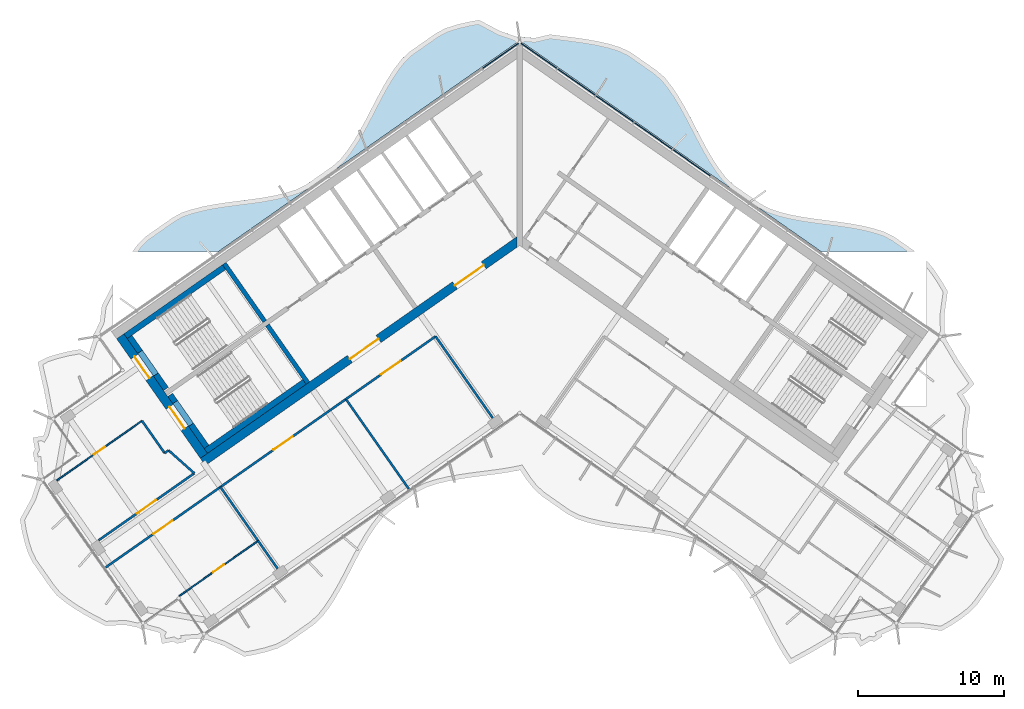
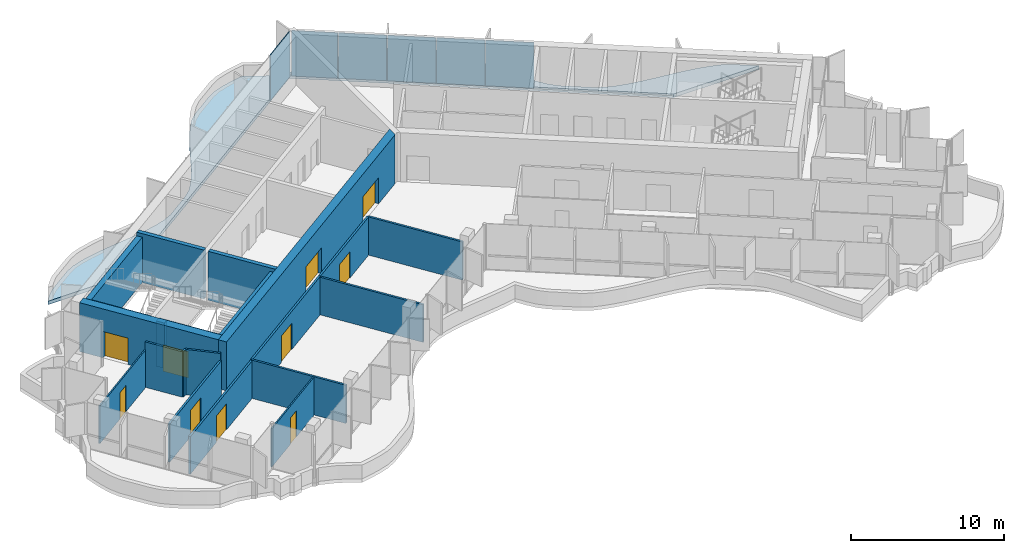
# One storey, part 9 of 18: 25 walls, 10 doors, 6 plates, 1 slab, 10 openings, 1 element without a shape of its own.
"""IFC4 building model written with IfcOpenShell, lengths in metres."""

from ifc_helpers import new_model, si_unit, direction, frame, frame_2d, origin, origin_2d, place, context, subcontext, project, spatial, polyline, rectangle, outline, extrude, material, layer, layer_set, type_object, element, fill, aggregate, save


model = new_model("IFC4")

# Units and contexts
model_context = context("Model", 3, precision=1e-05, world=origin(), true_north=direction((0.0, 1.0)))
body_context = subcontext(model_context, "Body", "Model", "MODEL_VIEW")
ifc_project = project(units=[si_unit("LENGTHUNIT", "METRE"), si_unit("AREAUNIT", "SQUARE_METRE"), si_unit("VOLUMEUNIT", "CUBIC_METRE"), si_unit("PLANEANGLEUNIT", "RADIAN"), si_unit("MASSUNIT", "GRAM", prefix="KILO")], contexts=[model_context])

# Site, building, storey
site_placement = place(None, origin())
site = spatial("IfcSite", under=ifc_project, at=site_placement, CompositionType="ELEMENT")
building_placement = place(site_placement, origin())
building = spatial("IfcBuilding", under=site, at=building_placement, Name="Tel Ilan Convention Tower", CompositionType="ELEMENT")
storey_placement = place(building_placement, frame((0.0, 0.0, 256.60009765625)))
storey = spatial("IfcBuildingStorey", under=building, at=storey_placement, Name="L60", CompositionType="ELEMENT", Elevation=256.60009765625)

# Curtain wall, plates
ifc_material_1 = material(Name="Aluminium, bronze anodised", Category="aluminium")
curtain_wall_type = type_object("IfcCurtainWallType", Name="CW2 STICK CURTAIN WALL, SPANDREL PANELS", PredefinedType="NOTDEFINED", material=ifc_material_1)
curtain_wall_placement = place(storey_placement, origin())
curtain_wall = element("IfcCurtainWall", 1, at=curtain_wall_placement, inside=storey, type_object=curtain_wall_type, Name="Curtain wall CW2-46.01", PredefinedType="NOTDEFINED")
ifc_material_2 = material(Name="Aluminium composite panel, bronze anodised", Category="aluminium")
ifc_layer_1 = layer(ifc_material_2, 0.06005859375)
ifc_layer_set_1 = layer_set([ifc_layer_1], Name="CW SPANDREL PANEL 60")
plate_type = type_object("IfcPlateType", Name="CW SPANDREL PANEL 60", PredefinedType="CURTAIN_PANEL", material=ifc_layer_set_1)
plate_1_placement = place(storey_placement, frame((11.789306640625, 4.44091796875, -0.000244140625), z_axis=(0.0, 0.0, 1.0), x_axis=(-0.819152044289, 0.573576436351, 0.0)))
plate_1 = element("IfcPlate", 2, at=plate_1_placement, type_object=plate_type, Name="Spandrel panel", PredefinedType="CURTAIN_PANEL", context=body_context, shape_type="SweptSolid", body=[
    extrude(rectangle(XDim=3.15380859375, YDim=0.06005859375, at=origin_2d()), origin(), (0.0, 0.0, 1.0), 3.6201171875),
])
plate_2_placement = place(storey_placement, frame((9.15673828125, 6.284423828125, -0.000244140625), z_axis=(0.0, 0.0, 1.0), x_axis=(-0.819152044289, 0.573576436351, 0.0)))
plate_2 = element("IfcPlate", 3, at=plate_2_placement, type_object=plate_type, Name="Spandrel panel", PredefinedType="CURTAIN_PANEL", context=body_context, shape_type="SweptSolid", body=[
    extrude(rectangle(XDim=3.15380859375, YDim=0.06005859375, at=origin_2d()), origin(), (0.0, 0.0, 1.0), 3.6201171875),
])
plate_3_placement = place(storey_placement, frame((6.524169921875, 8.127685546875, -0.000244140625), z_axis=(0.0, 0.0, 1.0), x_axis=(-0.819152044289, 0.573576436351, 0.0)))
plate_3 = element("IfcPlate", 4, at=plate_3_placement, type_object=plate_type, Name="Spandrel panel", PredefinedType="CURTAIN_PANEL", context=body_context, shape_type="SweptSolid", body=[
    extrude(rectangle(XDim=3.15380859375, YDim=0.06005859375, at=origin_2d()), origin(), (0.0, 0.0, 1.0), 3.6201171875),
])
plate_4_placement = place(storey_placement, frame((3.8916015625, 9.97119140625, -0.000244140625), z_axis=(0.0, 0.0, 1.0), x_axis=(-0.819152044289, 0.573576436351, 0.0)))
plate_4 = element("IfcPlate", 5, at=plate_4_placement, type_object=plate_type, Name="Spandrel panel", PredefinedType="CURTAIN_PANEL", context=body_context, shape_type="SweptSolid", body=[
    extrude(rectangle(XDim=3.15380859375, YDim=0.06005859375, at=origin_2d()), origin(), (0.0, 0.0, 1.0), 3.6201171875),
])
plate_5_placement = place(storey_placement, frame((1.303955078125, 11.782958984375, -0.000244140625), z_axis=(0.0, 0.0, 1.0), x_axis=(-0.819152044289, 0.573576436351, 0.0)))
plate_5 = element("IfcPlate", 6, at=plate_5_placement, type_object=plate_type, Name="Spandrel panel", PredefinedType="CURTAIN_PANEL", context=body_context, shape_type="SweptSolid", body=[
    extrude(rectangle(XDim=3.0439453125, YDim=0.06005859375, at=origin_2d()), origin(), (0.0, 0.0, 1.0), 3.6201171875),
])
plate_6_placement = place(storey_placement, frame((-1.303955078125, 11.782958984375, -0.000244140625), z_axis=(0.0, 0.0, 1.0), x_axis=(-0.819152044289, -0.573576436351, 0.0)))
plate_6 = element("IfcPlate", 7, at=plate_6_placement, type_object=plate_type, Name="Spandrel panel", PredefinedType="CURTAIN_PANEL", context=body_context, shape_type="SweptSolid", body=[
    extrude(rectangle(XDim=3.0439453125, YDim=0.06005859375, at=origin_2d()), origin(), (0.0, 0.0, 1.0), 3.6201171875),
])
aggregate(curtain_wall, [plate_1, plate_2, plate_3, plate_4, plate_5, plate_6])

# Slab
ifc_material_3 = material(Name="Concrete C40/50", Category="concrete")
ifc_layer_2 = layer(ifc_material_3, 0.280029296875)
ifc_layer_set_2 = layer_set([ifc_layer_2], Name="Edge Ledge Slab 280 mm C40/50")
slab_type = type_object("IfcSlabType", Name="Edge Ledge Slab 280 mm C40/50", PredefinedType="FLOOR", material=ifc_layer_set_2)
slab_placement = place(storey_placement, frame((0.0, 0.0, -0.280029296875)))
element("IfcSlab", 8, at=slab_placement, inside=storey, type_object=slab_type, Name="L60 edge ledge 2", PredefinedType="FLOOR", context=body_context, shape_type="SweptSolid", body=[
    extrude(outline(polyline([(-23.1982421875, 1.006591796875), (-22.4697265625, 1.250244140625), (-21.705322265625, 1.44287109375), (-20.91259765625, 1.594482421875), (-20.099365234375, 1.71728515625), (-19.275146484375, 1.824462890625), (-18.44970703125, 1.9296875), (-17.6328125, 2.047119140625), (-16.833984375, 2.18994140625), (-16.0615234375, 2.37109375), (-15.3232421875, 2.6005859375), (-14.651611328125, 2.92529296875), (-12.841552734375, 4.192626953125), (-12.284912109375, 4.681640625), (-11.809326171875, 5.28662109375), (-11.369140625, 5.94189453125), (-10.956787109375, 6.63720703125), (-10.564453125, 7.36083984375), (-10.182373046875, 8.09912109375), (-9.80078125, 8.83837890625), (-9.410400390625, 9.564697265625), (-9.001220703125, 10.264404296875), (-8.56494140625, 10.925537109375), (-8.094482421875, 11.53759765625), (-7.552001953125, 12.047119140625), (-5.7421875, 13.314208984375), (-5.0849609375, 13.66015625), (-4.3515625, 13.896484375), (-3.5830078125, 14.083251953125), (-2.785888671875, 14.228515625), (-1.357666015625, 13.472900390625), (-0.172119140625, 13.06396484375), (-0.168701171875, 13.05908203125), (-0.11474609375, 13.09521484375), (0.0, 13.1181640625), (0.11474609375, 13.09521484375), (0.168701171875, 13.05908203125), (0.172119140625, 13.06396484375), (1.02001953125, 12.99072265625), (2.08935546875, 13.234130859375), (2.913818359375, 13.12744140625), (3.739501953125, 13.0224609375), (4.55712890625, 12.90625), (5.357666015625, 12.765380859375), (6.132080078125, 12.587158203125), (6.872802734375, 12.361083984375), (7.552001953125, 12.047119140625), (9.36181640625, 10.77978515625), (9.925537109375, 10.300537109375), (10.403564453125, 9.69921875), (10.845947265625, 9.046875), (11.259521484375, 8.353515625), (11.653076171875, 7.631591796875), (12.035400390625, 6.893798828125), (12.416748046875, 6.154052734375), (12.806396484375, 5.426513671875), (13.214111328125, 4.724609375), (13.648193359375, 4.060791015625), (14.116455078125, 3.4453125), (14.651611328125, 2.92529296875), (16.46142578125, 1.657958984375), (17.111328125, 1.30224609375), (17.84228515625, 1.062255859375), (18.60888671875, 0.87255859375), (19.4033203125, 0.72314453125), (20.21728515625, 0.601806640625), (21.0419921875, 0.495361328125), (21.8671875, 0.3896484375), (22.68310546875, 0.27099609375), (23.480712890625, 0.1259765625), (24.2509765625, -0.057861328125), (24.987060546875, -0.290771484375), (25.6513671875, -0.626220703125), (27.087158203125, -1.631591796875), (20.63623046875, -1.631591796875), (0.0, 12.818115234375), (-20.63623046875, -1.631591796875), (-26.535888671875, -1.631591796875), (-26.1787109375, -1.156982421875), (-25.6513671875, -0.626220703125), (-23.84130859375, 0.64111328125), (-23.1982421875, 1.006591796875)])), origin(), (0.0, 0.0, 1.0), 0.280029296875),
])

# Walls
ifc_material_4 = material(Name="Concrete C40/50", Category="concrete")
ifc_layer_3 = layer(ifc_material_4, 0.300048828125)
ifc_layer_set_3 = layer_set([ifc_layer_3], Name="Core Shear Wall 300 mm C40/50")
wall_type_1 = type_object("IfcWallType", Name="Core Shear Wall 300 mm C40/50", PredefinedType="SHEAR", material=ifc_layer_set_3)
wall_1_placement = place(storey_placement, frame((-14.515380859375, -10.652099609375, 0.0), z_axis=(0.0, 0.0, 1.0), x_axis=(-0.573560315113, 0.819163332265, 0.0)))
element("IfcWall", 9, at=wall_1_placement, inside=storey, type_object=wall_type_1, Name="L60 core wall W-cross2-1", PredefinedType="SHEAR", context=body_context, shape_type="SweptSolid", body=[
    extrude(outline(polyline([(4.85009765625, 0.14990234375), (0.0, 0.14990234375), (0.0, -0.150146484375), (4.85009765625, -0.14990234375), (4.85009765625, 0.14990234375)])), origin(), (0.0, 0.0, 1.0), 3.89990234375),
])
wall_2_placement = place(storey_placement, frame((-17.46923828125, -6.433349609375, 0.0), z_axis=(0.0, 0.0, 1.0), x_axis=(-0.573594092424, 0.81913968109, 0.0)))
element("IfcWall", 10, at=wall_2_placement, inside=storey, type_object=wall_type_1, Name="L60 core wall W-cross2-2", PredefinedType="SHEAR", context=body_context, shape_type="SweptSolid", body=[
    extrude(outline(polyline([(4.849853515625, -0.150146484375), (4.849853515625, 0.14990234375), (0.0, 0.14990234375), (0.0, -0.14990234375), (4.849853515625, -0.150146484375)])), origin(), (0.0, 0.0, 1.0), 3.89990234375),
])

# Wall, openings, doors
ifc_material_5 = material(Name="Concrete C40/50", Category="concrete")
ifc_layer_4 = layer(ifc_material_5, 0.60009765625)
ifc_layer_set_4 = layer_set([ifc_layer_4], Name="Core Shear Wall 600 mm C40/50")
wall_type_2 = type_object("IfcWallType", Name="Core Shear Wall 600 mm C40/50", PredefinedType="SHEAR", material=ifc_layer_set_4)
wall_3_placement = place(storey_placement, frame((-0.02783203125, -0.8740234375, 0.0), z_axis=(0.0, 0.0, 1.0), x_axis=(-0.819150035022, -0.573579305871, 0.0)))
wall_3 = element("IfcWall", 11, at=wall_3_placement, inside=storey, type_object=wall_type_2, Name="L60 core wall W-front", PredefinedType="SHEAR", context=body_context, shape_type="SweptSolid", body=[
    extrude(outline(polyline([(26.475830078125, 0.2998046875), (0.420166015625, 0.300048828125), (0.000244140625, -0.300048828125), (26.475830078125, -0.300048828125), (26.475830078125, 0.2998046875)])), origin(), (0.0, 0.0, 1.0), 3.89990234375),
])
opening_1_placement = place(wall_3_placement, frame((2.975830078125, 0.0, 0.0)))
opening_1 = element("IfcOpeningElement", 12, at=opening_1_placement, cuts=wall_3, Name="Opening CD4606", PredefinedType="OPENING", context=body_context, shape_type="SweptSolid", body=[
    extrude(rectangle(XDim=2.39990234375, YDim=2.10009765625, at=frame_2d((1.199951171875, 1.050048828125))), frame((0.0, 0.31005859375, 0.0), z_axis=(0.0, -1.0, 0.0), x_axis=(1.0, 0.0, 0.0)), (0.0, 0.0, 1.0), 0.6201171875),
])
opening_2_placement = place(wall_3_placement, frame((11.77587890625, 0.0, 0.0)))
opening_2 = element("IfcOpeningElement", 13, at=opening_2_placement, cuts=wall_3, Name="Opening CD4607", PredefinedType="OPENING", context=body_context, shape_type="SweptSolid", body=[
    extrude(rectangle(XDim=2.39990234375, YDim=2.10009765625, at=frame_2d((1.199951171875, 1.050048828125))), frame((0.0, 0.31005859375, 0.0), z_axis=(0.0, -1.0, 0.0), x_axis=(1.0, 0.0, 0.0)), (0.0, 0.0, 1.0), 0.6201171875),
])
ifc_material_6 = material(Name="Glazed Aluminium Door Leaf", Category="aluminium")
door_type_1 = type_object("IfcDoorType", Name="Lobby Opening Door 2400 x 2100 FD60S", OperationType="NOTDEFINED", PredefinedType="DOOR", material=ifc_material_6)
door_1_placement = place(opening_1_placement, origin())
door_1 = element("IfcDoor", 14, at=door_1_placement, inside=storey, type_object=door_type_1, Name="Lift Lobby HR1-HR4 opening", OperationType="DOUBLE_DOOR_SINGLE_SWING", OverallHeight=2.10009765625, OverallWidth=2.39990234375, PredefinedType="DOOR", context=body_context, shape_type="SweptSolid", body=[
    extrude(rectangle(XDim=2.39990234375, YDim=2.10009765625, at=frame_2d((1.199951171875, 1.050048828125))), frame((0.0, 0.02490234375, 0.0), z_axis=(0.0, -1.0, 0.0), x_axis=(1.0, 0.0, 0.0)), (0.0, 0.0, 1.0), 0.050048828125),
])
fill(opening_1, door_1)
door_2_placement = place(opening_2_placement, origin())
door_2 = element("IfcDoor", 15, at=door_2_placement, inside=storey, type_object=door_type_1, Name="Lift Lobby HR5-HR6 opening", OperationType="DOUBLE_DOOR_SINGLE_SWING", OverallHeight=2.10009765625, OverallWidth=2.39990234375, PredefinedType="DOOR", context=body_context, shape_type="SweptSolid", body=[
    extrude(rectangle(XDim=2.39990234375, YDim=2.10009765625, at=frame_2d((1.199951171875, 1.050048828125))), frame((0.0, 0.02490234375, 0.0), z_axis=(0.0, -1.0, 0.0), x_axis=(1.0, 0.0, 0.0)), (0.0, 0.0, 1.0), 0.050048828125),
])
fill(opening_2, door_2)

wall_4_placement = place(storey_placement, frame((-21.641845703125, -15.64208984375, 0.0), z_axis=(0.0, 0.0, 1.0), x_axis=(-0.573586866468, 0.819144740944, 0.0)))
wall_4 = element("IfcWall", 16, at=wall_4_placement, inside=storey, type_object=wall_type_2, Name="L60 core wall W-end", PredefinedType="SHEAR", context=body_context, shape_type="SweptSolid", body=[
    extrude(outline(polyline([(0.0, 0.300048828125), (0.0, -0.2998046875), (10.0, -0.300048828125), (10.0, 0.300048828125), (0.0, 0.300048828125)])), origin(), (0.0, 0.0, 1.0), 3.89990234375),
])
opening_3_placement = place(wall_4_placement, frame((6.5, 0.0, 0.0)))
opening_3 = element("IfcOpeningElement", 17, at=opening_3_placement, cuts=wall_4, Name="Opening SD4601", PredefinedType="OPENING", context=body_context, shape_type="SweptSolid", body=[
    extrude(rectangle(XDim=1.800048828125, YDim=2.10009765625, at=frame_2d((0.89990234375, 1.050048828125))), frame((0.0, 0.31005859375, 0.0), z_axis=(0.0, -1.0, 0.0), x_axis=(1.0, 0.0, 0.0)), (0.0, 0.0, 1.0), 0.6201171875),
])
opening_4_placement = place(wall_4_placement, frame((2.300048828125, 0.0, 0.0)))
opening_4 = element("IfcOpeningElement", 18, at=opening_4_placement, cuts=wall_4, Name="Opening SD4602", PredefinedType="OPENING", context=body_context, shape_type="SweptSolid", body=[
    extrude(rectangle(XDim=1.800048828125, YDim=2.10009765625, at=frame_2d((0.89990234375, 1.050048828125))), frame((0.0, 0.31005859375, 0.0), z_axis=(0.0, -1.0, 0.0), x_axis=(1.0, 0.0, 0.0)), (0.0, 0.0, 1.0), 0.6201171875),
])
ifc_material_7 = material(Name="Galvanised Steel Door Leaf", Category="steel")
door_type_2 = type_object("IfcDoorType", Name="Stair Fire Door 1800 x 2100 FD60S", OperationType="NOTDEFINED", PredefinedType="DOOR", material=ifc_material_7)
door_3_placement = place(opening_3_placement, origin())
door_3 = element("IfcDoor", 19, at=door_3_placement, inside=storey, type_object=door_type_2, Name="Stair S1 door", OperationType="DOUBLE_DOOR_SINGLE_SWING", OverallHeight=2.10009765625, OverallWidth=1.800048828125, PredefinedType="DOOR", context=body_context, shape_type="SweptSolid", body=[
    extrude(rectangle(XDim=1.800048828125, YDim=2.10009765625, at=frame_2d((0.89990234375, 1.050048828125))), frame((0.0, 0.02490234375, 0.0), z_axis=(0.0, -1.0, 0.0), x_axis=(1.0, 0.0, 0.0)), (0.0, 0.0, 1.0), 0.050048828125),
])
fill(opening_3, door_3)
door_4_placement = place(opening_4_placement, origin())
door_4 = element("IfcDoor", 20, at=door_4_placement, inside=storey, type_object=door_type_2, Name="Stair S2 door", OperationType="DOUBLE_DOOR_SINGLE_SWING", OverallHeight=2.10009765625, OverallWidth=1.800048828125, PredefinedType="DOOR", context=body_context, shape_type="SweptSolid", body=[
    extrude(rectangle(XDim=1.800048828125, YDim=2.10009765625, at=frame_2d((0.89990234375, 1.050048828125))), frame((0.0, 0.02490234375, 0.0), z_axis=(0.0, -1.0, 0.0), x_axis=(1.0, 0.0, 0.0)), (0.0, 0.0, 1.0), 0.050048828125),
])
fill(opening_4, door_4)

# Wall, opening, door
ifc_material_8 = material(Name="Plasterboard on Steel Studs", Category="steel")
ifc_layer_5 = layer(ifc_material_8, 0.14990234375)
ifc_layer_set_5 = layer_set([ifc_layer_5], Name="Fire-rated Partition 150 EI 60")
wall_type_3 = type_object("IfcWallType", Name="Fire-rated Partition 150 EI 60", PredefinedType="PARTITIONING", material=ifc_layer_set_5)
wall_5_placement = place(storey_placement, frame((-28.858154296875, -21.428466796875, 0.0), z_axis=(0.0, 0.0, 1.0), x_axis=(0.819138799838, 0.573595350923, 0.0)))
wall_5 = element("IfcWall", 21, at=wall_5_placement, inside=storey, type_object=wall_type_3, Name="Partition 007", PredefinedType="PARTITIONING", context=body_context, shape_type="SweptSolid", body=[
    extrude(rectangle(XDim=8.007080078125, YDim=0.14990234375, at=frame_2d((4.00341796875, 0.0))), origin(), (0.0, 0.0, 1.0), 3.0498046875),
])
opening_5_placement = place(wall_5_placement, frame((3.20361328125, 0.0, 0.0)))
opening_5 = element("IfcOpeningElement", 22, at=opening_5_placement, cuts=wall_5, Name="Opening L59-005", PredefinedType="OPENING", context=body_context, shape_type="SweptSolid", body=[
    extrude(rectangle(XDim=1.60009765625, YDim=2.10009765625, at=frame_2d((0.800048828125, 1.050048828125))), frame((0.0, 0.0849609375, 0.0), z_axis=(0.0, -1.0, 0.0), x_axis=(1.0, 0.0, 0.0)), (0.0, 0.0, 1.0), 0.169921875),
])
ifc_material_9 = material(Name="Timber Door Leaf in Steel Frame", Category="steel")
door_type_3 = type_object("IfcDoorType", Name="Tenant Suite Entrance Fire Door 1600x2100", OperationType="NOTDEFINED", PredefinedType="DOOR", material=ifc_material_9)
door_5_placement = place(opening_5_placement, origin())
door_5 = element("IfcDoor", 23, at=door_5_placement, inside=storey, type_object=door_type_3, Name="Door L59-005", OperationType="DOUBLE_DOOR_SINGLE_SWING", OverallHeight=2.10009765625, OverallWidth=1.60009765625, PredefinedType="DOOR", context=body_context, shape_type="SweptSolid", body=[
    extrude(rectangle(XDim=1.60009765625, YDim=2.10009765625, at=frame_2d((0.800048828125, 1.050048828125))), frame((0.0, 0.02490234375, 0.0), z_axis=(0.0, -1.0, 0.0), x_axis=(1.0, 0.0, 0.0)), (0.0, 0.0, 1.0), 0.050048828125),
])
fill(opening_5, door_5)

wall_6_placement = place(storey_placement, frame((-5.766357421875, -7.455810546875, 0.0), z_axis=(0.0, 0.0, 1.0), x_axis=(-0.819150881364, -0.573578097177, 0.0)))
wall_6 = element("IfcWall", 24, at=wall_6_placement, inside=storey, type_object=wall_type_3, Name="Partition 008", PredefinedType="PARTITIONING", context=body_context, shape_type="SweptSolid", body=[
    extrude(rectangle(XDim=7.501953125, YDim=0.14990234375, at=frame_2d((3.7509765625, 0.0))), origin(), (0.0, 0.0, 1.0), 3.0498046875),
])
opening_6_placement = place(wall_6_placement, frame((2.950927734375, 0.0, 0.0)))
opening_6 = element("IfcOpeningElement", 25, at=opening_6_placement, cuts=wall_6, Name="Opening L59-001", PredefinedType="OPENING", context=body_context, shape_type="SweptSolid", body=[
    extrude(rectangle(XDim=1.60009765625, YDim=2.10009765625, at=frame_2d((0.800048828125, 1.050048828125))), frame((0.0, 0.0849609375, 0.0), z_axis=(0.0, -1.0, 0.0), x_axis=(1.0, 0.0, 0.0)), (0.0, 0.0, 1.0), 0.169921875),
])
door_6_placement = place(opening_6_placement, origin())
door_6 = element("IfcDoor", 26, at=door_6_placement, inside=storey, type_object=door_type_3, Name="Door L59-001", OperationType="DOUBLE_DOOR_SINGLE_SWING", OverallHeight=2.10009765625, OverallWidth=1.60009765625, PredefinedType="DOOR", context=body_context, shape_type="SweptSolid", body=[
    extrude(rectangle(XDim=1.60009765625, YDim=2.10009765625, at=frame_2d((0.800048828125, 1.050048828125))), frame((0.0, 0.02490234375, 0.0), z_axis=(0.0, -1.0, 0.0), x_axis=(1.0, 0.0, 0.0)), (0.0, 0.0, 1.0), 0.050048828125),
])
fill(opening_6, door_6)

wall_7_placement = place(storey_placement, frame((-11.908447265625, -11.756591796875, 0.0), z_axis=(0.0, 0.0, 1.0), x_axis=(-0.819156568366, -0.573569975245, 0.0)))
wall_7 = element("IfcWall", 27, at=wall_7_placement, inside=storey, type_object=wall_type_3, Name="Partition 009", PredefinedType="PARTITIONING", context=body_context, shape_type="SweptSolid", body=[
    extrude(rectangle(XDim=10.50390625, YDim=0.14990234375, at=frame_2d((5.251953125, 0.0))), origin(), (0.0, 0.0, 1.0), 3.0498046875),
])
opening_7_placement = place(wall_7_placement, frame((4.451904296875, 0.0, 0.0)))
opening_7 = element("IfcOpeningElement", 28, at=opening_7_placement, cuts=wall_7, Name="Opening L59-002", PredefinedType="OPENING", context=body_context, shape_type="SweptSolid", body=[
    extrude(rectangle(XDim=1.60009765625, YDim=2.10009765625, at=frame_2d((0.800048828125, 1.050048828125))), frame((0.0, 0.0849609375, 0.0), z_axis=(0.0, -1.0, 0.0), x_axis=(1.0, 0.0, 0.0)), (0.0, 0.0, 1.0), 0.169921875),
])
door_7_placement = place(opening_7_placement, origin())
door_7 = element("IfcDoor", 29, at=door_7_placement, inside=storey, type_object=door_type_3, Name="Door L59-002", OperationType="DOUBLE_DOOR_SINGLE_SWING", OverallHeight=2.10009765625, OverallWidth=1.60009765625, PredefinedType="DOOR", context=body_context, shape_type="SweptSolid", body=[
    extrude(rectangle(XDim=1.60009765625, YDim=2.10009765625, at=frame_2d((0.800048828125, 1.050048828125))), frame((0.0, 0.02490234375, 0.0), z_axis=(0.0, -1.0, 0.0), x_axis=(1.0, 0.0, 0.0)), (0.0, 0.0, 1.0), 0.050048828125),
])
fill(opening_7, door_7)

wall_8_placement = place(storey_placement, frame((-20.509521484375, -17.779052734375, 0.0), z_axis=(0.0, 0.0, 1.0), x_axis=(-0.819147101588, -0.573583495196, 0.0)))
wall_8 = element("IfcWall", 30, at=wall_8_placement, inside=storey, type_object=wall_type_3, Name="Partition 010", PredefinedType="PARTITIONING", context=body_context, shape_type="SweptSolid", body=[
    extrude(rectangle(XDim=9.60205078125, YDim=0.14990234375, at=frame_2d((4.801025390625, 0.0))), origin(), (0.0, 0.0, 1.0), 3.0),
])
opening_8_placement = place(wall_8_placement, frame((4.0009765625, 0.0, 0.0)))
opening_8 = element("IfcOpeningElement", 31, at=opening_8_placement, cuts=wall_8, Name="Opening L59-003", PredefinedType="OPENING", context=body_context, shape_type="SweptSolid", body=[
    extrude(rectangle(XDim=1.60009765625, YDim=2.10009765625, at=frame_2d((0.800048828125, 1.050048828125))), frame((0.0, 0.0849609375, 0.0), z_axis=(0.0, -1.0, 0.0), x_axis=(1.0, 0.0, 0.0)), (0.0, 0.0, 1.0), 0.169921875),
])
door_8_placement = place(opening_8_placement, origin())
door_8 = element("IfcDoor", 32, at=door_8_placement, inside=storey, type_object=door_type_3, Name="Door L59-003", OperationType="DOUBLE_DOOR_SINGLE_SWING", OverallHeight=2.10009765625, OverallWidth=1.60009765625, PredefinedType="DOOR", context=body_context, shape_type="SweptSolid", body=[
    extrude(rectangle(XDim=1.60009765625, YDim=2.10009765625, at=frame_2d((0.800048828125, 1.050048828125))), frame((0.0, 0.02490234375, 0.0), z_axis=(0.0, -1.0, 0.0), x_axis=(1.0, 0.0, 0.0)), (0.0, 0.0, 1.0), 0.050048828125),
])
fill(opening_8, door_8)

# Walls
wall_9_placement = place(storey_placement, frame((-1.848876953125, -13.050537109375, 0.0), z_axis=(0.0, 0.0, 1.0), x_axis=(-0.57357985571, 0.819149650018, 0.0)))
element("IfcWall", 33, at=wall_9_placement, inside=storey, type_object=wall_type_3, Name="Partition 027", PredefinedType="PARTITIONING", context=body_context, shape_type="SweptSolid", body=[
    extrude(rectangle(XDim=6.83203125, YDim=0.14990234375, at=frame_2d((3.416015625, 0.0))), origin(), (0.0, 0.0, 1.0), 3.0498046875),
])
wall_10_placement = place(storey_placement, frame((-24.337158203125, -15.4541015625, 0.0), z_axis=(0.0, 0.0, 1.0), x_axis=(-0.573571492575, 0.819155505936, 0.0)))
element("IfcWall", 34, at=wall_10_placement, inside=storey, type_object=wall_type_3, Name="Partition 028", PredefinedType="PARTITIONING", context=body_context, shape_type="SweptSolid", body=[
    extrude(rectangle(XDim=2.701904296875, YDim=0.14990234375, at=frame_2d((1.35107421875, 0.0))), origin(), (0.0, 0.0, 1.0), 3.619873046875),
])
wall_11_placement = place(storey_placement, frame((-22.2998046875, -16.83740234375, 0.0), z_axis=(0.0, 0.0, 1.0), x_axis=(-0.746942190663, 0.664888986078, 0.0)))
element("IfcWall", 35, at=wall_11_placement, inside=storey, type_object=wall_type_3, Name="Partition 029", PredefinedType="PARTITIONING", context=body_context, shape_type="SweptSolid", body=[
    extrude(rectangle(XDim=2.365478515625, YDim=0.14990234375, at=frame_2d((1.1826171875, 0.0))), origin(), (0.0, 0.0, 1.0), 3.619873046875),
])
wall_12_placement = place(storey_placement, frame((-24.066650390625, -15.2646484375, 0.0), z_axis=(0.0, 0.0, 1.0), x_axis=(-0.819092976344, -0.573660784876, 0.0)))
element("IfcWall", 36, at=wall_12_placement, inside=storey, type_object=wall_type_3, Name="Partition 030", PredefinedType="PARTITIONING", context=body_context, shape_type="SweptSolid", body=[
    extrude(rectangle(XDim=0.330322265625, YDim=0.14990234375, at=frame_2d((0.1650390625, 0.0))), origin(), (0.0, 0.0, 1.0), 3.619873046875),
])
wall_13_placement = place(storey_placement, frame((-7.608154296875, -17.9013671875, 0.0), z_axis=(0.0, 0.0, 1.0), x_axis=(-0.573560650686, 0.819163097304, 0.0)))
element("IfcWall", 37, at=wall_13_placement, inside=storey, type_object=wall_type_3, Name="Partition 032", PredefinedType="PARTITIONING", context=body_context, shape_type="SweptSolid", body=[
    extrude(rectangle(XDim=7.5, YDim=0.14990234375, at=frame_2d((3.75, 0.0))), origin(), (0.0, 0.0, 1.0), 3.0),
])
wall_14_placement = place(storey_placement, frame((-16.593505859375, -23.375, 0.0), z_axis=(0.0, 0.0, 1.0), x_axis=(-0.57362400197, 0.819118736426, 0.0)))
element("IfcWall", 38, at=wall_14_placement, inside=storey, type_object=wall_type_3, Name="Partition 033", PredefinedType="PARTITIONING", context=body_context, shape_type="SweptSolid", body=[
    extrude(rectangle(XDim=2.3310546875, YDim=0.14990234375, at=frame_2d((1.16552734375, 0.0))), origin(), (0.0, 0.0, 1.0), 3.0498046875),
])
wall_15_placement = place(storey_placement, frame((-17.928955078125, -21.468017578125, 0.0), z_axis=(0.0, 0.0, 1.0), x_axis=(-0.573553333433, 0.819168220641, 0.0)))
element("IfcWall", 39, at=wall_15_placement, inside=storey, type_object=wall_type_3, Name="Partition 034", PredefinedType="PARTITIONING", context=body_context, shape_type="SweptSolid", body=[
    extrude(rectangle(XDim=4.501708984375, YDim=0.14990234375, at=frame_2d((2.2509765625, 0.0))), origin(), (0.0, 0.0, 1.0), 3.0498046875),
])

# Wall, opening, door
ifc_material_10 = material(Name="Plasterboard on Steel Studs", Category="steel")
ifc_layer_6 = layer(ifc_material_10, 0.10009765625)
ifc_layer_set_6 = layer_set([ifc_layer_6], Name="Plasterboard Partition 100")
wall_type_4 = type_object("IfcWallType", Name="Plasterboard Partition 100", PredefinedType="PARTITIONING", material=ifc_layer_set_6)
wall_16_placement = place(storey_placement, frame((-31.72705078125, -17.331298828125, 0.0), z_axis=(0.0, 0.0, 1.0), x_axis=(0.819140241507, 0.573593292101, 0.0)))
wall_16 = element("IfcWall", 40, at=wall_16_placement, inside=storey, type_object=wall_type_4, Name="Partition 031", PredefinedType="PARTITIONING", context=body_context, shape_type="SweptSolid", body=[
    extrude(rectangle(XDim=7.1318359375, YDim=0.10009765625, at=frame_2d((3.56591796875, 0.0))), origin(), (0.0, 0.0, 1.0), 3.0),
])
opening_9_placement = place(wall_16_placement, frame((3.115966796875, 0.0, 0.0)))
opening_9 = element("IfcOpeningElement", 41, at=opening_9_placement, cuts=wall_16, Name="Opening L59-006", PredefinedType="OPENING", context=body_context, shape_type="SweptSolid", body=[
    extrude(rectangle(XDim=0.89990234375, YDim=2.10009765625, at=frame_2d((0.449951171875, 1.050048828125))), frame((0.0, 0.06005859375, 0.0), z_axis=(0.0, -1.0, 0.0), x_axis=(1.0, 0.0, 0.0)), (0.0, 0.0, 1.0), 0.1201171875),
])
ifc_material_11 = material(Name="Timber Door Leaf in Steel Frame", Category="steel")
door_type_4 = type_object("IfcDoorType", Name="Room Timber Door 900x2100", OperationType="NOTDEFINED", PredefinedType="DOOR", material=ifc_material_11)
door_9_placement = place(opening_9_placement, origin())
door_9 = element("IfcDoor", 42, at=door_9_placement, inside=storey, type_object=door_type_4, Name="Door L59-006", OperationType="SINGLE_SWING_RIGHT", OverallHeight=2.10009765625, OverallWidth=0.89990234375, PredefinedType="DOOR", context=body_context, shape_type="SweptSolid", body=[
    extrude(rectangle(XDim=0.89990234375, YDim=2.10009765625, at=frame_2d((0.449951171875, 1.050048828125))), frame((0.0, 0.02490234375, 0.0), z_axis=(0.0, -1.0, 0.0), x_axis=(1.0, 0.0, 0.0)), (0.0, 0.0, 1.0), 0.050048828125),
])
fill(opening_9, door_9)

wall_17_placement = place(storey_placement, frame((-17.929443359375, -21.46728515625, 0.0), z_axis=(0.0, 0.0, 1.0), x_axis=(-0.819158922237, -0.573566613498, 0.0)))
wall_17 = element("IfcWall", 43, at=wall_17_placement, inside=storey, type_object=wall_type_4, Name="Partition 035", PredefinedType="PARTITIONING", context=body_context, shape_type="SweptSolid", body=[
    extrude(rectangle(XDim=6.599853515625, YDim=0.10009765625, at=frame_2d((3.2998046875, 0.0))), origin(), (0.0, 0.0, 1.0), 3.0498046875),
])
opening_10_placement = place(wall_17_placement, frame((2.85009765625, 0.0, 0.0)))
opening_10 = element("IfcOpeningElement", 44, at=opening_10_placement, cuts=wall_17, Name="Opening L59-004", PredefinedType="OPENING", context=body_context, shape_type="SweptSolid", body=[
    extrude(rectangle(XDim=0.89990234375, YDim=2.10009765625, at=frame_2d((0.449951171875, 1.050048828125))), frame((0.0, 0.06005859375, 0.0), z_axis=(0.0, -1.0, 0.0), x_axis=(1.0, 0.0, 0.0)), (0.0, 0.0, 1.0), 0.1201171875),
])
door_10_placement = place(opening_10_placement, origin())
door_10 = element("IfcDoor", 45, at=door_10_placement, inside=storey, type_object=door_type_4, Name="Door L59-004", OperationType="SINGLE_SWING_LEFT", OverallHeight=2.10009765625, OverallWidth=0.89990234375, PredefinedType="DOOR", context=body_context, shape_type="SweptSolid", body=[
    extrude(rectangle(XDim=0.89990234375, YDim=2.10009765625, at=frame_2d((0.449951171875, 1.050048828125))), frame((0.0, 0.02490234375, 0.0), z_axis=(0.0, -1.0, 0.0), x_axis=(1.0, 0.0, 0.0)), (0.0, 0.0, 1.0), 0.050048828125),
])
fill(opening_10, door_10)

# Walls
ifc_material_12 = material(Name="Concrete C30/37", Category="concrete")
ifc_layer_7 = layer(ifc_material_12, 0.39990234375)
ifc_layer_set_7 = layer_set([ifc_layer_7], Name="Stair and Shaft Lining Wall 400 mm C30/37")
wall_type_5 = type_object("IfcWallType", Name="Stair and Shaft Lining Wall 400 mm C30/37", PredefinedType="SOLIDWALL", material=ifc_layer_set_7)
wall_18_placement = place(storey_placement, frame((-20.25927734375, -2.71044921875, 0.0), z_axis=(0.0, 0.0, 1.0), x_axis=(-0.81914849389, -0.573581506813, 0.0)))
element("IfcWall", 46, at=wall_18_placement, inside=storey, type_object=wall_type_5, Name="L60 core wall lining-S1-t1", PredefinedType="SOLIDWALL", context=body_context, shape_type="SweptSolid", body=[
    extrude(rectangle(XDim=8.249755859375, YDim=0.39990234375, at=frame_2d((4.125, 0.0))), origin(), (0.0, 0.0, 1.0), 3.619873046875),
])
wall_19_placement = place(storey_placement, frame((-24.24365234375, -11.0546875, 0.0), z_axis=(0.0, 0.0, 1.0), x_axis=(-0.573571582932, 0.819155442668, 0.0)))
element("IfcWall", 47, at=wall_19_placement, inside=storey, type_object=wall_type_5, Name="L60 core wall lining-S1-u1-0", PredefinedType="SOLIDWALL", context=body_context, shape_type="SweptSolid", body=[
    extrude(rectangle(XDim=1.199951171875, YDim=0.39990234375, at=frame_2d((0.60009765625, 0.0))), origin(), (0.0, 0.0, 1.0), 3.619873046875),
])
wall_20_placement = place(storey_placement, frame((-26.021728515625, -8.515380859375, 0.0), z_axis=(0.0, 0.0, 1.0), x_axis=(-0.573619628835, 0.819121798889, 0.0)))
element("IfcWall", 48, at=wall_20_placement, inside=storey, type_object=wall_type_5, Name="L60 core wall lining-S1-u1-1", PredefinedType="SOLIDWALL", context=body_context, shape_type="SweptSolid", body=[
    extrude(rectangle(XDim=1.25, YDim=0.39990234375, at=frame_2d((0.625, 0.0))), origin(), (0.0, 0.0, 1.0), 3.619873046875),
])
wall_21_placement = place(storey_placement, frame((-24.931884765625, -10.07177734375, 2.14990234375), z_axis=(0.0, 0.0, 1.0), x_axis=(-0.573591692345, 0.819141361715, 0.0)))
element("IfcWall", 49, at=wall_21_placement, inside=storey, type_object=wall_type_5, Name="L60 core wall lining-S1-u1-lintel", PredefinedType="SOLIDWALL", context=body_context, shape_type="SweptSolid", body=[
    extrude(rectangle(XDim=1.900146484375, YDim=0.39990234375, at=frame_2d((0.9501953125, 0.0))), origin(), (0.0, 0.0, 1.0), 1.469970703125),
])
wall_22_placement = place(storey_placement, frame((-14.7529296875, -10.57421875, 0.0), z_axis=(0.0, 0.0, 1.0), x_axis=(-0.819158229677, -0.573567602601, 0.0)))
element("IfcWall", 50, at=wall_22_placement, inside=storey, type_object=wall_type_5, Name="L60 core wall lining-S2-t0", PredefinedType="SOLIDWALL", context=body_context, shape_type="SweptSolid", body=[
    extrude(rectangle(XDim=8.25, YDim=0.39990234375, at=frame_2d((4.125, 0.0))), origin(), (0.0, 0.0, 1.0), 3.619873046875),
])
wall_23_placement = place(storey_placement, frame((-21.4619140625, -15.027587890625, 0.0), z_axis=(0.0, 0.0, 1.0), x_axis=(-0.573559770908, 0.819163713305, 0.0)))
element("IfcWall", 51, at=wall_23_placement, inside=storey, type_object=wall_type_5, Name="L60 core wall lining-S2-u1-0", PredefinedType="SOLIDWALL", context=body_context, shape_type="SweptSolid", body=[
    extrude(rectangle(XDim=1.849853515625, YDim=0.39990234375, at=frame_2d((0.9248046875, 0.0))), origin(), (0.0, 0.0, 1.0), 3.619873046875),
])
wall_24_placement = place(storey_placement, frame((-23.61279296875, -11.955810546875, 0.0), z_axis=(0.0, 0.0, 1.0), x_axis=(-0.573435029941, 0.819251039936, 0.0)))
element("IfcWall", 52, at=wall_24_placement, inside=storey, type_object=wall_type_5, Name="L60 core wall lining-S2-u1-1", PredefinedType="SOLIDWALL", context=body_context, shape_type="SweptSolid", body=[
    extrude(rectangle(XDim=0.599853515625, YDim=0.39990234375, at=frame_2d((0.2998046875, 0.0))), origin(), (0.0, 0.0, 1.0), 3.619873046875),
])
wall_25_placement = place(storey_placement, frame((-22.52294921875, -13.51220703125, 2.14990234375), z_axis=(0.0, 0.0, 1.0), x_axis=(-0.573591692345, 0.819141361715, 0.0)))
element("IfcWall", 53, at=wall_25_placement, inside=storey, type_object=wall_type_5, Name="L60 core wall lining-S2-u1-lintel", PredefinedType="SOLIDWALL", context=body_context, shape_type="SweptSolid", body=[
    extrude(rectangle(XDim=1.900146484375, YDim=0.39990234375, at=frame_2d((0.9501953125, 0.0))), origin(), (0.0, 0.0, 1.0), 1.469970703125),
])

save(model, "model.ifc")
